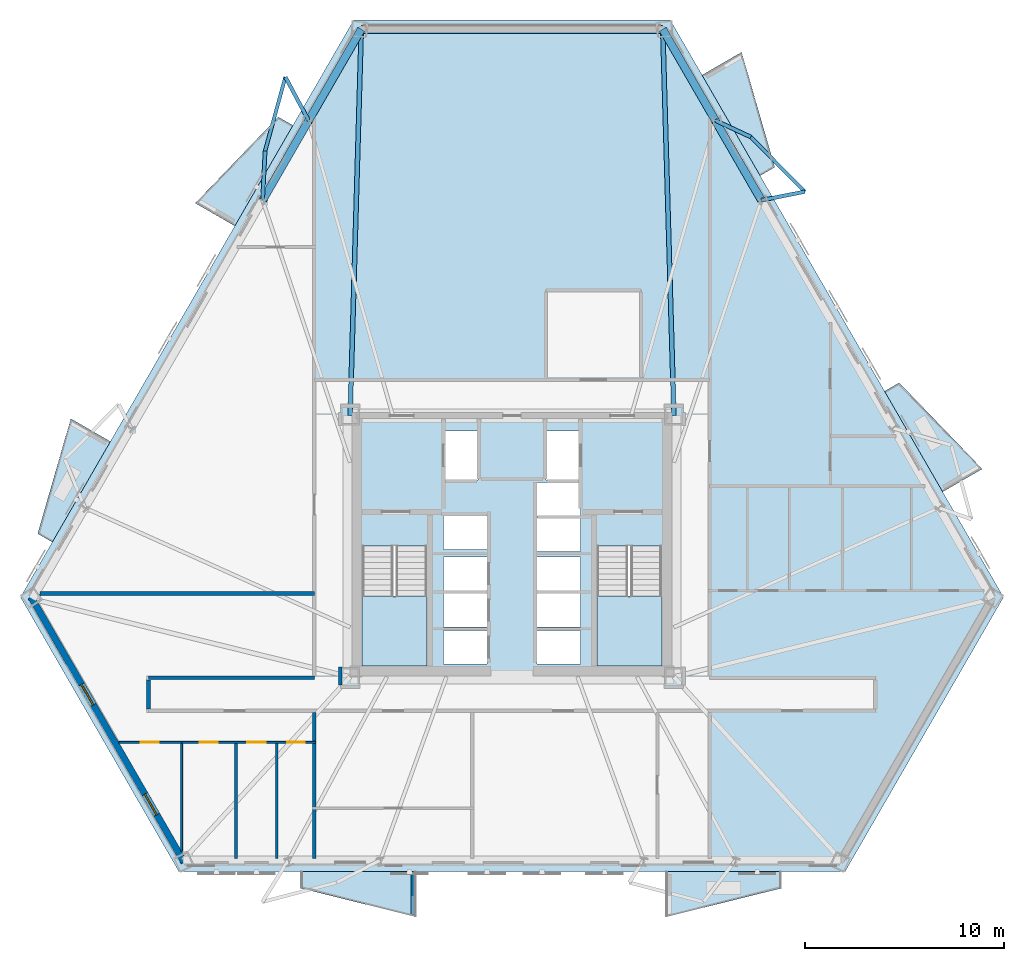
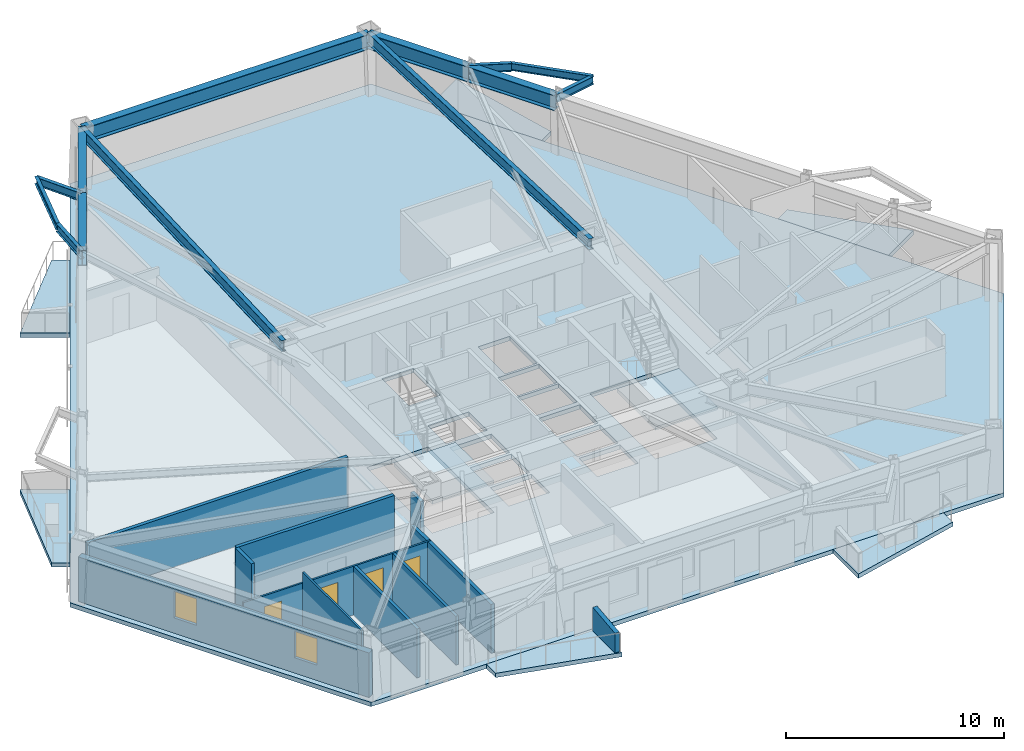
# One storey, part 2 of 13: 13 beams, 11 walls, 9 slabs, 4 doors, 2 windows, 6 openings, 2 elements without a shape of their own.
"""IFC4 building model written with IfcOpenShell, lengths in metres."""

from ifc_helpers import new_model, si_unit, direction, frame, frame_2d, origin, origin_2d, place, context, subcontext, project, spatial, polyline, rectangle, i_section, outline, extrude, material, layer, layer_set, material_profile, profile_set, type_object, element, fill, aggregate, save


model = new_model("IFC4")

# Units and contexts
model_context = context("Model", 3, precision=1e-05, world=origin(), true_north=direction((0.0, 1.0)))
body_context = subcontext(model_context, "Body", "Model", "MODEL_VIEW")
ifc_project = project(units=[si_unit("LENGTHUNIT", "METRE"), si_unit("AREAUNIT", "SQUARE_METRE"), si_unit("VOLUMEUNIT", "CUBIC_METRE"), si_unit("PLANEANGLEUNIT", "RADIAN"), si_unit("MASSUNIT", "GRAM", prefix="KILO")], contexts=[model_context])

# Site, building, storey
site_placement = place(None, origin())
site = spatial("IfcSite", under=ifc_project, at=site_placement, CompositionType="ELEMENT")
building_placement = place(site_placement, origin())
building = spatial("IfcBuilding", under=site, at=building_placement, Name="Oramaril Tower", CompositionType="ELEMENT")
storey_placement = place(building_placement, frame((0.0, 0.0, 38.10009765625)))
storey = spatial("IfcBuildingStorey", under=building, at=storey_placement, Name="L09", CompositionType="ELEMENT", Elevation=38.10009765625)

# Beams
ifc_material_1 = material(Name="Steel ASTM A572 Gr 50", Category="steel")
ifc_material_profile_1 = material_profile(ifc_material_1, i_section(OverallWidth=0.19091796875, OverallDepth=0.45703125, WebThickness=0.009033203125, FlangeThickness=0.014404296875, at=origin_2d()), Name="W18X50")
ifc_profile_set_1 = profile_set([ifc_material_profile_1], Name="Steel ASTM A572 Gr 50")
beam_type_1 = type_object("IfcBeamType", Name="BT-BB1", PredefinedType="BEAM", material=ifc_profile_set_1)
beam_1_placement = place(storey_placement, frame((50.056884765625, 34.998046875, 3.13134765625), z_axis=(0.981203641615, 0.192975163378, 0.0), x_axis=(-0.192975163378, 0.981203641615, 0.0)))
element("IfcBeam", 1, at=beam_1_placement, inside=storey, type_object=beam_type_1, Name="L09 Balcony Column-Framed Cantilever 04.1", PredefinedType="BEAM", context=body_context, shape_type="SweptSolid", body=[
    extrude(i_section(OverallWidth=0.19091796875, OverallDepth=0.45703125, WebThickness=0.009033203125, FlangeThickness=0.014404296875, at=origin_2d()), origin(), (0.0, 0.0, 1.0), 2.22802734375),
])
beam_2_placement = place(storey_placement, frame((47.738525390625, 39.013671875, 3.13134765625), z_axis=(0.906015157564, -0.423245241277, 0.0), x_axis=(0.423245241277, 0.906015157564, 0.0)))
element("IfcBeam", 2, at=beam_2_placement, inside=storey, type_object=beam_type_1, Name="L09 Balcony Column-Framed Cantilever 04.2", PredefinedType="BEAM", context=body_context, shape_type="SweptSolid", body=[
    extrude(i_section(OverallWidth=0.19091796875, OverallDepth=0.45703125, WebThickness=0.009033203125, FlangeThickness=0.014404296875, at=origin_2d()), origin(), (0.0, 0.0, 1.0), 1.96875),
])
beam_3_placement = place(storey_placement, frame((27.261474609375, 39.013671875, 3.13134765625), z_axis=(-0.471241432449, 0.882004258688, 0.0), x_axis=(-0.882004258688, -0.471241432449, 0.0)))
element("IfcBeam", 3, at=beam_3_placement, inside=storey, type_object=beam_type_1, Name="L09 Balcony Column-Framed Cantilever 05.1", PredefinedType="BEAM", context=body_context, shape_type="SweptSolid", body=[
    extrude(i_section(OverallWidth=0.19091796875, OverallDepth=0.45703125, WebThickness=0.009033203125, FlangeThickness=0.014404296875, at=origin_2d()), origin(), (0.0, 0.0, 1.0), 2.482666015625),
])
beam_4_placement = place(storey_placement, frame((24.943115234375, 34.998291015625, 3.13134765625), z_axis=(0.050586807819, 0.998719667812, 0.0), x_axis=(-0.998719667812, 0.050586807819, 0.0)))
element("IfcBeam", 4, at=beam_4_placement, inside=storey, type_object=beam_type_1, Name="L09 Balcony Column-Framed Cantilever 05.2", PredefinedType="BEAM", context=body_context, shape_type="SweptSolid", body=[
    extrude(i_section(OverallWidth=0.19091796875, OverallDepth=0.45703125, WebThickness=0.009033203125, FlangeThickness=0.014404296875, at=origin_2d()), origin(), (0.0, 0.0, 1.0), 2.475830078125),
])
ifc_material_2 = material(Name="Steel ASTM A572 Gr 50", Category="steel")
ifc_material_profile_2 = material_profile(ifc_material_2, i_section(OverallWidth=0.22900390625, OverallDepth=0.612060546875, WebThickness=0.011962890625, FlangeThickness=0.01953125, at=origin_2d()), Name="W24X84")
ifc_profile_set_2 = profile_set([ifc_material_profile_2], Name="Steel ASTM A572 Gr 50")
beam_type_2 = type_object("IfcBeamType", Name="BT-FB1", PredefinedType="BEAM", material=ifc_profile_set_2)
for number, where, z_axis, x_axis, name in (
    (5, (45.64990234375, 24.14990234375, 3.053955078125), (-0.028816562841, 0.999584716623, 0.0), (-0.999584716623, -0.028816562841, 0.0), "L09 Radial Primary Beam RB-05"),
    (6, (29.35009765625, 24.14990234375, 3.053955078125), (0.028816562841, 0.999584716623, 0.0), (-0.999584716623, 0.028816562841, 0.0), "L09 Radial Primary Beam RB-06"),
):
    element("IfcBeam", number, at=place(storey_placement, frame(where, z_axis=z_axis, x_axis=x_axis)), inside=storey, type_object=beam_type_2, Name=name, PredefinedType="BEAM", context=body_context, shape_type="SweptSolid", body=[
        extrude(i_section(OverallWidth=0.22900390625, OverallDepth=0.612060546875, WebThickness=0.011962890625, FlangeThickness=0.01953125, at=origin_2d()), origin(), (0.0, 0.0, 1.0), 19.460693359375),
    ])
ifc_material_3 = material(Name="Steel ASTM A572 Gr 50", Category="steel")
ifc_material_profile_3 = material_profile(ifc_material_3, i_section(OverallWidth=0.177978515625, OverallDepth=0.404052734375, WebThickness=0.007568359375, FlangeThickness=0.010986328125, at=origin_2d()), Name="W16X36")
ifc_profile_set_3 = profile_set([ifc_material_profile_3], Name="Steel ASTM A572 Gr 50")
beam_type_3 = type_object("IfcBeamType", Name="BT-SB1", PredefinedType="BEAM", material=ifc_profile_set_3)
for number, where, z_axis, x_axis, name in (
    (7, (52.242919921875, 35.427978515625, 3.157958984375), (-0.702994511648, 0.71119527318, 0.0), (-0.71119527318, -0.702994511648, 0.0), "L09 Balcony Edge Tie Beam 04"),
    (8, (26.091552734375, 41.203369140625, 3.157958984375), (-0.264382243015, -0.964417974521, 0.0), (0.964417974521, -0.264382243015, 0.0), "L09 Balcony Edge Tie Beam 05"),
):
    element("IfcBeam", number, at=place(storey_placement, frame(where, z_axis=z_axis, x_axis=x_axis)), inside=storey, type_object=beam_type_3, Name=name, PredefinedType="BEAM", context=body_context, shape_type="SweptSolid", body=[
        extrude(i_section(OverallWidth=0.177978515625, OverallDepth=0.404052734375, WebThickness=0.007568359375, FlangeThickness=0.010986328125, at=origin_2d()), origin(), (0.0, 0.0, 1.0), 3.8701171875),
    ])
ifc_material_4 = material(Name="Steel ASTM A572 Gr 50", Category="steel")
ifc_material_profile_4 = material_profile(ifc_material_4, i_section(OverallWidth=0.40087890625, OverallDepth=0.85595703125, WebThickness=0.018310546875, FlangeThickness=0.029296875, at=origin_2d()), Name="W33X201")
ifc_profile_set_4 = profile_set([ifc_material_profile_4], Name="Steel ASTM A572 Gr 50")
beam_type_4 = type_object("IfcBeamType", Name="BT-SP1", PredefinedType="SPANDREL", material=ifc_profile_set_4)
beam_5_placement = place(storey_placement, frame((50.056884765625, 34.998046875, 2.931884765625), z_axis=(-0.499989842173, 0.866031268329, 0.0), x_axis=(-0.866031268329, -0.499989842173, 0.0)))
element("IfcBeam", 9, at=beam_5_placement, inside=storey, type_object=beam_type_4, Name="L09 Perimeter Spandrel 11", PredefinedType="SPANDREL", context=body_context, shape_type="SweptSolid", body=[
    extrude(i_section(OverallWidth=0.40087890625, OverallDepth=0.85595703125, WebThickness=0.018310546875, FlangeThickness=0.029296875, at=origin_2d()), origin(), (0.0, 0.0, 1.0), 4.63671875),
])
beam_6_placement = place(storey_placement, frame((47.738525390625, 39.013671875, 2.931884765625), z_axis=(-0.500004296715, 0.866022923061, 0.0), x_axis=(-0.866022923061, -0.500004296715, 0.0)))
element("IfcBeam", 10, at=beam_6_placement, inside=storey, type_object=beam_type_4, Name="L09 Perimeter Spandrel 12", PredefinedType="SPANDREL", context=body_context, shape_type="SweptSolid", body=[
    extrude(i_section(OverallWidth=0.40087890625, OverallDepth=0.85595703125, WebThickness=0.018310546875, FlangeThickness=0.029296875, at=origin_2d()), origin(), (0.0, 0.0, 1.0), 5.298828125),
])
beam_7_placement = place(storey_placement, frame((45.089111328125, 43.6025390625, 2.931884765625), z_axis=(-1.0, 0.0, 0.0), x_axis=(0.0, -1.0, 0.0)))
element("IfcBeam", 11, at=beam_7_placement, inside=storey, type_object=beam_type_4, Name="L09 Perimeter Spandrel 13", PredefinedType="SPANDREL", context=body_context, shape_type="SweptSolid", body=[
    extrude(i_section(OverallWidth=0.40087890625, OverallDepth=0.85595703125, WebThickness=0.018310546875, FlangeThickness=0.029296875, at=origin_2d()), origin(), (0.0, 0.0, 1.0), 15.17822265625),
])
beam_8_placement = place(storey_placement, frame((29.910888671875, 43.6025390625, 2.931884765625), z_axis=(-0.500004296715, -0.866022923061, 0.0), x_axis=(0.866022923061, -0.500004296715, 0.0)))
element("IfcBeam", 12, at=beam_8_placement, inside=storey, type_object=beam_type_4, Name="L09 Perimeter Spandrel 14", PredefinedType="SPANDREL", context=body_context, shape_type="SweptSolid", body=[
    extrude(i_section(OverallWidth=0.40087890625, OverallDepth=0.85595703125, WebThickness=0.018310546875, FlangeThickness=0.029296875, at=origin_2d()), origin(), (0.0, 0.0, 1.0), 5.298828125),
])
beam_9_placement = place(storey_placement, frame((27.261474609375, 39.013671875, 2.931884765625), z_axis=(-0.500012642009, -0.866018104794, 0.0), x_axis=(0.866018104794, -0.500012642009, 0.0)))
element("IfcBeam", 13, at=beam_9_placement, inside=storey, type_object=beam_type_4, Name="L09 Perimeter Spandrel 15", PredefinedType="SPANDREL", context=body_context, shape_type="SweptSolid", body=[
    extrude(i_section(OverallWidth=0.40087890625, OverallDepth=0.85595703125, WebThickness=0.018310546875, FlangeThickness=0.029296875, at=origin_2d()), origin(), (0.0, 0.0, 1.0), 4.63671875),
])

# Slabs
ifc_material_5 = material(Name="Concrete C40/50", Category="concrete")
ifc_layer_1 = layer(ifc_material_5, 0.199951171875)
ifc_layer_set_1 = layer_set([ifc_layer_1], Name="SLT-BAL20")
slab_type_1 = type_object("IfcSlabType", Name="SLT-BAL20", PredefinedType="FLOOR", material=ifc_layer_set_1)
slab_1_placement = place(storey_placement, frame((0.0, 0.0, -0.239990234375)))
element("IfcSlab", 14, at=slab_1_placement, inside=storey, type_object=slab_type_1, Name="L09 Cantilevered Balcony Slab L09-BAL-S1", PredefinedType="FLOOR", context=body_context, shape_type="SweptSolid", body=[
    extrude(outline(polyline([(26.848388671875, 1.2158203125), (32.698486328125, 1.2158203125), (32.698486328125, -1.086181640625), (26.848388671875, 0.36376953125), (26.848388671875, 1.2158203125)])), origin(), (0.0, 0.0, 1.0), 0.239990234375),
])
slab_2_placement = place(storey_placement, frame((0.0, 0.0, -0.239990234375)))
element("IfcSlab", 15, at=slab_2_placement, inside=storey, type_object=slab_type_1, Name="L09 Cantilevered Balcony Slab L09-BAL-NE2", PredefinedType="FLOOR", context=body_context, shape_type="SweptSolid", body=[
    extrude(outline(polyline([(49.990966796875, 36.2333984375), (47.06591796875, 41.299560546875), (49.0595703125, 42.45068359375), (50.728759765625, 36.659423828125), (49.990966796875, 36.2333984375)])), origin(), (0.0, 0.0, 1.0), 0.239990234375),
])
slab_3_placement = place(storey_placement, frame((0.0, 0.0, -0.239990234375)))
element("IfcSlab", 16, at=slab_3_placement, inside=storey, type_object=slab_type_1, Name="L09 Cantilevered Balcony Slab L09-BAL-NW1", PredefinedType="FLOOR", context=body_context, shape_type="SweptSolid", body=[
    extrude(outline(polyline([(26.471435546875, 38.7666015625), (23.54638671875, 33.7001953125), (21.552978515625, 34.851318359375), (25.733642578125, 39.1923828125), (26.471435546875, 38.7666015625)])), origin(), (0.0, 0.0, 1.0), 0.239990234375),
])
ifc_material_6 = material(Name="Concrete C50/60", Category="concrete")
ifc_layer_2 = layer(ifc_material_6, 0.239990234375)
ifc_layer_set_2 = layer_set([ifc_layer_2], Name="SLT-FLR24")
slab_type_2 = type_object("IfcSlabType", Name="SLT-FLR24", PredefinedType="FLOOR", material=ifc_layer_set_2)
slab_4_placement = place(storey_placement, frame((0.0, 0.0, -0.239990234375)))
element("IfcSlab", 17, at=slab_4_placement, inside=storey, type_object=slab_type_2, Name="L09 Structural Floor Slab", PredefinedType="FLOOR", context=body_context, shape_type="SweptSolid", body=[
    extrude(outline(polyline([(12.755859375, 15.01416015625), (20.723388671875, 1.2138671875), (54.276611328125, 1.2138671875), (62.244140625, 15.01416015625), (45.4677734375, 44.072021484375), (29.5322265625, 44.072021484375), (12.755859375, 15.01416015625)]), holes=[polyline([(29.949951171875, 17.58935546875), (29.949951171875, 11.550048828125), (33.219970703125, 11.550048828125), (33.219970703125, 17.58935546875), (29.949951171875, 17.58935546875)]), polyline([(41.780029296875, 17.58935546875), (41.780029296875, 11.550048828125), (45.050048828125, 11.550048828125), (45.050048828125, 17.58935546875), (41.780029296875, 17.58935546875)]), polyline([(34.110107421875, 20.909912109375), (35.7900390625, 20.909912109375), (35.7900390625, 23.389892578125), (34.110107421875, 23.389892578125), (34.110107421875, 20.909912109375)]), polyline([(39.2099609375, 20.909912109375), (40.889892578125, 20.909912109375), (40.889892578125, 23.389892578125), (39.2099609375, 23.389892578125), (39.2099609375, 20.909912109375)]), polyline([(34.06005859375, 11.659912109375), (36.239990234375, 11.659912109375), (36.239990234375, 13.340087890625), (34.06005859375, 13.340087890625), (34.06005859375, 11.659912109375)]), polyline([(34.06005859375, 13.510009765625), (36.239990234375, 13.510009765625), (36.239990234375, 15.18994140625), (34.06005859375, 15.18994140625), (34.06005859375, 13.510009765625)]), polyline([(34.06005859375, 15.360107421875), (36.239990234375, 15.360107421875), (36.239990234375, 17.0400390625), (34.06005859375, 17.0400390625), (34.06005859375, 15.360107421875)]), polyline([(38.760009765625, 11.659912109375), (40.93994140625, 11.659912109375), (40.93994140625, 13.340087890625), (38.760009765625, 13.340087890625), (38.760009765625, 11.659912109375)]), polyline([(38.760009765625, 13.510009765625), (40.93994140625, 13.510009765625), (40.93994140625, 15.18994140625), (38.760009765625, 15.18994140625), (38.760009765625, 13.510009765625)]), polyline([(38.760009765625, 15.360107421875), (40.93994140625, 15.360107421875), (40.93994140625, 17.0400390625), (38.760009765625, 17.0400390625), (38.760009765625, 15.360107421875)]), polyline([(34.06005859375, 17.409912109375), (36.239990234375, 17.409912109375), (36.239990234375, 19.090087890625), (34.06005859375, 19.090087890625), (34.06005859375, 17.409912109375)]), polyline([(38.760009765625, 17.31005859375), (40.93994140625, 17.31005859375), (40.93994140625, 18.989990234375), (38.760009765625, 18.989990234375), (38.760009765625, 17.31005859375)]), polyline([(38.760009765625, 19.110107421875), (40.93994140625, 19.110107421875), (40.93994140625, 20.7900390625), (38.760009765625, 20.7900390625), (38.760009765625, 19.110107421875)])]), origin(), (0.0, 0.0, 1.0), 0.239990234375),
])

# Stair, slab
ifc_material_7 = material(Name="Concrete C50/60", Category="concrete")
stair_type = type_object("IfcStairType", Name="STT-DG-3600", PredefinedType="HALF_TURN_STAIR", material=ifc_material_7)
stair_1_placement = place(storey_placement, origin())
stair_1 = element("IfcStair", 18, at=stair_1_placement, inside=storey, type_object=stair_type, Name="L09 Protected PFP Exit Stair ST-1", PredefinedType="HALF_TURN_STAIR")
ifc_material_8 = material(Name="Concrete C50/60", Category="concrete")
ifc_layer_3 = layer(ifc_material_8, 0.199951171875)
ifc_layer_set_3 = layer_set([ifc_layer_3], Name="SLT-LND20")
slab_type_3 = type_object("IfcSlabType", Name="SLT-LND20", PredefinedType="LANDING", material=ifc_layer_set_3)
slab_5_placement = place(storey_placement, frame((0.0, 0.0, 1.599853515625)))
slab_5 = element("IfcSlab", 19, at=slab_5_placement, type_object=slab_type_3, Name="ST-1 landing 1", PredefinedType="LANDING", context=body_context, shape_type="SweptSolid", body=[
    extrude(outline(polyline([(29.949951171875, 15.070068359375), (29.949951171875, 11.550048828125), (33.219970703125, 11.550048828125), (33.219970703125, 15.070068359375), (29.949951171875, 15.070068359375)])), origin(), (0.0, 0.0, 1.0), 0.199951171875),
])
aggregate(stair_1, [slab_5])

stair_2_placement = place(storey_placement, origin())
stair_2 = element("IfcStair", 20, at=stair_2_placement, inside=storey, type_object=stair_type, Name="L09 Protected PFP Exit Stair ST-2", PredefinedType="HALF_TURN_STAIR")
slab_6_placement = place(storey_placement, frame((0.0, 0.0, 1.599853515625)))
slab_6 = element("IfcSlab", 21, at=slab_6_placement, type_object=slab_type_3, Name="ST-2 landing 1", PredefinedType="LANDING", context=body_context, shape_type="SweptSolid", body=[
    extrude(outline(polyline([(41.780029296875, 15.070068359375), (41.780029296875, 11.550048828125), (45.050048828125, 11.550048828125), (45.050048828125, 15.070068359375), (41.780029296875, 15.070068359375)])), origin(), (0.0, 0.0, 1.0), 0.199951171875),
])
aggregate(stair_2, [slab_6])

# Slabs
ifc_material_9 = material(Name="Concrete C40/50", Category="concrete")
ifc_layer_4 = layer(ifc_material_9, 0.18994140625)
ifc_layer_set_4 = layer_set([ifc_layer_4], Name="SLT-PLN19")
slab_type_4 = type_object("IfcSlabType", Name="SLT-PLN19", PredefinedType="FLOOR", material=ifc_layer_set_4)
slab_7_placement = place(storey_placement, frame((0.0, 0.0, -0.239990234375)))
element("IfcSlab", 22, at=slab_7_placement, inside=storey, type_object=slab_type_4, Name="L09 Tree Planter Balcony Slab L09-BAL-S2", PredefinedType="FLOOR", context=body_context, shape_type="SweptSolid", body=[
    extrude(outline(polyline([(45.2265625, 1.2158203125), (51.076416015625, 1.2158203125), (51.076416015625, 0.36376953125), (45.2265625, -1.086181640625), (45.2265625, 1.2158203125)])), origin(), (0.0, 0.0, 1.0), 0.239990234375),
])
slab_8_placement = place(storey_placement, frame((0.0, 0.0, -0.239990234375)))
element("IfcSlab", 23, at=slab_8_placement, inside=storey, type_object=slab_type_4, Name="L09 Tree Planter Balcony Slab L09-BAL-NE1", PredefinedType="FLOOR", context=body_context, shape_type="SweptSolid", body=[
    extrude(outline(polyline([(59.179931640625, 20.317626953125), (56.2548828125, 25.3837890625), (56.99267578125, 25.809814453125), (61.173583984375, 21.468505859375), (59.179931640625, 20.317626953125)])), origin(), (0.0, 0.0, 1.0), 0.239990234375),
])
slab_9_placement = place(storey_placement, frame((0.0, 0.0, -0.239990234375)))
element("IfcSlab", 24, at=slab_9_placement, inside=storey, type_object=slab_type_4, Name="L09 Tree Planter Balcony Slab L09-BAL-NW2", PredefinedType="FLOOR", context=body_context, shape_type="SweptSolid", body=[
    extrude(outline(polyline([(17.28271484375, 22.8505859375), (14.357666015625, 17.784423828125), (13.619873046875, 18.21044921875), (15.2890625, 24.001708984375), (17.28271484375, 22.8505859375)])), origin(), (0.0, 0.0, 1.0), 0.239990234375),
])

# Wall, openings, windows
ifc_material_10 = material(Name="Warm Cream Limestone", Category="masonry")
ifc_layer_5 = layer(ifc_material_10, 0.340087890625)
ifc_layer_set_5 = layer_set([ifc_layer_5], Name="WT-EXT34")
wall_type_1 = type_object("IfcWallType", Name="WT-EXT34", PredefinedType="SOLIDWALL", material=ifc_layer_set_5)
wall_1_placement = place(storey_placement, frame((13.287109375, 15.01416015625, 0.0), z_axis=(0.0, 0.0, 1.0), x_axis=(0.499993183949, -0.866029338997, 0.0)))
wall_1 = element("IfcWall", 25, at=wall_1_placement, inside=storey, type_object=wall_type_1, Name="L09 Tower Limestone Facade Wall 1M", PredefinedType="SOLIDWALL", context=body_context, shape_type="SweptSolid", body=[
    extrude(rectangle(XDim=15.404052734375, YDim=0.340087890625, at=frame_2d((7.7021484375, 0.0))), origin(), (0.0, 0.0, 1.0), 2.493896484375),
])
opening_1_placement = place(wall_1_placement, frame((5.06689453125, 0.0, 0.85009765625)))
opening_1 = element("IfcOpeningElement", 26, at=opening_1_placement, cuts=wall_1, Name="Opening WN-09", PredefinedType="OPENING", context=body_context, shape_type="SweptSolid", body=[
    extrude(rectangle(XDim=1.199951171875, YDim=1.47998046875, at=frame_2d((0.60009765625, 0.739990234375))), frame((0.0, 0.169921875, 0.0), z_axis=(0.0, -1.0, 0.0), x_axis=(1.0, 0.0, 0.0)), (0.0, 0.0, 1.0), 0.340087890625),
])
opening_2_placement = place(wall_1_placement, frame((11.450927734375, 0.0, 0.85009765625)))
opening_2 = element("IfcOpeningElement", 27, at=opening_2_placement, cuts=wall_1, Name="Opening WN-09", PredefinedType="OPENING", context=body_context, shape_type="SweptSolid", body=[
    extrude(rectangle(XDim=1.199951171875, YDim=1.47998046875, at=frame_2d((0.60009765625, 0.739990234375))), frame((0.0, 0.169921875, 0.0), z_axis=(0.0, -1.0, 0.0), x_axis=(1.0, 0.0, 0.0)), (0.0, 0.0, 1.0), 0.340087890625),
])
ifc_material_11 = material(Name="Coastal Low-E Insulated Glass", Category="glass")
window_type = type_object("IfcWindowType", Name="WNT-09", PartitioningType="SINGLE_PANEL", PredefinedType="WINDOW", material=ifc_material_11)
window_1_placement = place(opening_1_placement, origin())
window_1 = element("IfcWindow", 28, at=window_1_placement, inside=storey, type_object=window_type, Name="L09 Apartment Bedroom Window WN-09", OverallHeight=1.47998046875, OverallWidth=1.199951171875, PartitioningType="SINGLE_PANEL", PredefinedType="WINDOW", context=body_context, shape_type="SweptSolid", body=[
    extrude(rectangle(XDim=1.199951171875, YDim=1.47998046875, at=frame_2d((0.60009765625, 0.739990234375))), frame((0.0, 0.030029296875, 0.0), z_axis=(0.0, -1.0, 0.0), x_axis=(1.0, 0.0, 0.0)), (0.0, 0.0, 1.0), 0.06005859375),
])
fill(opening_1, window_1)
window_2_placement = place(opening_2_placement, origin())
window_2 = element("IfcWindow", 29, at=window_2_placement, inside=storey, type_object=window_type, Name="L09 Apartment Bedroom Window WN-09", OverallHeight=1.47998046875, OverallWidth=1.199951171875, PartitioningType="SINGLE_PANEL", PredefinedType="WINDOW", context=body_context, shape_type="SweptSolid", body=[
    extrude(rectangle(XDim=1.199951171875, YDim=1.47998046875, at=frame_2d((0.60009765625, 0.739990234375))), frame((0.0, 0.030029296875, 0.0), z_axis=(0.0, -1.0, 0.0), x_axis=(1.0, 0.0, 0.0)), (0.0, 0.0, 1.0), 0.06005859375),
])
fill(opening_2, window_2)

# Wall
ifc_material_12 = material(Name="Concrete C40/50", Category="concrete")
ifc_layer_6 = layer(ifc_material_12, 0.22998046875)
ifc_layer_set_6 = layer_set([ifc_layer_6], Name="WT-PRP23")
wall_type_2 = type_object("IfcWallType", Name="WT-PRP23", PredefinedType="PARAPET", material=ifc_layer_set_6)
wall_2_placement = place(storey_placement, frame((32.5185546875, 1.07568359375, 0.0), z_axis=(0.0, 0.0, 1.0), x_axis=(0.0, -1.0, 0.0)))
element("IfcWall", 30, at=wall_2_placement, inside=storey, type_object=wall_type_2, Name="L09 Trapezoidal Balcony Frame Cheek L09-BAL-S1-R", PredefinedType="PARAPET", context=body_context, shape_type="SweptSolid", body=[
    extrude(outline(polyline([(0.0, 0.0), (2.0419921875, 0.0), (2.0419921875, 1.099853515625), (0.0, 1.31982421875), (0.0, 0.0)])), frame((0.0, 0.114990234375, 0.0), z_axis=(0.0, -1.0, 0.0), x_axis=(1.0, 0.0, 0.0)), (0.0, 0.0, 1.0), 0.22998046875),
])

# Wall, openings, doors
ifc_material_13 = material(Name="Acoustic Gypsum Board Partition")
ifc_layer_7 = layer(ifc_material_13, 0.10009765625)
ifc_layer_set_7 = layer_set([ifc_layer_7], Name="WT-PT10")
wall_type_3 = type_object("IfcWallType", Name="WT-PT10", PredefinedType="PARTITIONING", material=ifc_layer_set_7)
wall_3_placement = place(storey_placement, frame((17.705078125, 7.7099609375, 0.0), z_axis=(0.0, 0.0, 1.0), x_axis=(1.0, 0.0, 0.0)))
wall_3 = element("IfcWall", 31, at=wall_3_placement, inside=storey, type_object=wall_type_3, Name="L09 Interior Partition PT-10", PredefinedType="PARTITIONING", context=body_context, shape_type="SweptSolid", body=[
    extrude(rectangle(XDim=9.89501953125, YDim=0.10009765625, at=frame_2d((4.947509765625, 0.0))), origin(), (0.0, 0.0, 1.0), 2.73779296875),
])
opening_3_placement = place(wall_3_placement, frame((1.092529296875, 0.0, 0.0)))
opening_3 = element("IfcOpeningElement", 32, at=opening_3_placement, cuts=wall_3, Name="Opening D-L09-02", PredefinedType="OPENING", context=body_context, shape_type="SweptSolid", body=[
    extrude(rectangle(XDim=0.919921875, YDim=2.1201171875, at=frame_2d((0.4599609375, 1.06005859375))), frame((0.0, 0.050048828125, 0.0), z_axis=(0.0, -1.0, 0.0), x_axis=(1.0, 0.0, 0.0)), (0.0, 0.0, 1.0), 0.10009765625),
])
opening_4_placement = place(wall_3_placement, frame((4.073486328125, 0.0, 0.0)))
opening_4 = element("IfcOpeningElement", 33, at=opening_4_placement, cuts=wall_3, Name="Opening D-L09-03", PredefinedType="OPENING", context=body_context, shape_type="SweptSolid", body=[
    extrude(rectangle(XDim=0.919921875, YDim=2.1201171875, at=frame_2d((0.4599609375, 1.06005859375))), frame((0.0, 0.050048828125, 0.0), z_axis=(0.0, -1.0, 0.0), x_axis=(1.0, 0.0, 0.0)), (0.0, 0.0, 1.0), 0.10009765625),
])
opening_5_placement = place(wall_3_placement, frame((6.454833984375, 0.0, 0.0)))
opening_5 = element("IfcOpeningElement", 34, at=opening_5_placement, cuts=wall_3, Name="Opening D-L09-04", PredefinedType="OPENING", context=body_context, shape_type="SweptSolid", body=[
    extrude(rectangle(XDim=0.949951171875, YDim=2.10009765625, at=frame_2d((0.47509765625, 1.050048828125))), frame((0.0, 0.050048828125, 0.0), z_axis=(0.0, -1.0, 0.0), x_axis=(1.0, 0.0, 0.0)), (0.0, 0.0, 1.0), 0.10009765625),
])
opening_6_placement = place(wall_3_placement, frame((8.474853515625, 0.0, 0.0)))
opening_6 = element("IfcOpeningElement", 35, at=opening_6_placement, cuts=wall_3, Name="Opening D-L09-05", PredefinedType="OPENING", context=body_context, shape_type="SweptSolid", body=[
    extrude(rectangle(XDim=0.8798828125, YDim=2.080078125, at=frame_2d((0.43994140625, 1.0400390625))), frame((0.0, 0.050048828125, 0.0), z_axis=(0.0, -1.0, 0.0), x_axis=(1.0, 0.0, 0.0)), (0.0, 0.0, 1.0), 0.10009765625),
])
ifc_material_14 = material(Name="FSC Brazilian Freijo Hardwood", Category="wood")
door_type_1 = type_object("IfcDoorType", Name="DT-BATH", OperationType="NOTDEFINED", PredefinedType="DOOR", material=ifc_material_14)
door_1_placement = place(opening_6_placement, origin())
door_1 = element("IfcDoor", 36, at=door_1_placement, inside=storey, type_object=door_type_1, Name="L09 Flat L09-U3 Bathroom Door D-L09-05", OperationType="SINGLE_SWING_LEFT", OverallHeight=2.080078125, OverallWidth=0.8798828125, PredefinedType="DOOR", context=body_context, shape_type="SweptSolid", body=[
    extrude(rectangle(XDim=0.8798828125, YDim=2.080078125, at=frame_2d((0.43994140625, 1.0400390625))), frame((0.0, 0.02490234375, 0.0), z_axis=(0.0, -1.0, 0.0), x_axis=(1.0, 0.0, 0.0)), (0.0, 0.0, 1.0), 0.050048828125),
])
fill(opening_6, door_1)
ifc_material_15 = material(Name="FSC Brazilian Freijo Hardwood", Category="wood")
door_type_2 = type_object("IfcDoorType", Name="DT-BED", OperationType="NOTDEFINED", PredefinedType="DOOR", material=ifc_material_15)
door_2_placement = place(opening_3_placement, origin())
door_2 = element("IfcDoor", 37, at=door_2_placement, inside=storey, type_object=door_type_2, Name="L09 Flat L09-U3 Master Bedroom Door D-L09-02", OperationType="SINGLE_SWING_RIGHT", OverallHeight=2.1201171875, OverallWidth=0.919921875, PredefinedType="DOOR", context=body_context, shape_type="SweptSolid", body=[
    extrude(rectangle(XDim=0.919921875, YDim=2.1201171875, at=frame_2d((0.4599609375, 1.06005859375))), frame((0.0, 0.02490234375, 0.0), z_axis=(0.0, -1.0, 0.0), x_axis=(1.0, 0.0, 0.0)), (0.0, 0.0, 1.0), 0.050048828125),
])
fill(opening_3, door_2)
door_3_placement = place(opening_4_placement, origin())
door_3 = element("IfcDoor", 38, at=door_3_placement, inside=storey, type_object=door_type_2, Name="L09 Flat L09-U3 Bedroom 2 Door D-L09-03", OperationType="SINGLE_SWING_LEFT", OverallHeight=2.1201171875, OverallWidth=0.919921875, PredefinedType="DOOR", context=body_context, shape_type="SweptSolid", body=[
    extrude(rectangle(XDim=0.919921875, YDim=2.1201171875, at=frame_2d((0.4599609375, 1.06005859375))), frame((0.0, 0.02490234375, 0.0), z_axis=(0.0, -1.0, 0.0), x_axis=(1.0, 0.0, 0.0)), (0.0, 0.0, 1.0), 0.050048828125),
])
fill(opening_4, door_3)
ifc_material_16 = material(Name="FSC Brazilian Freijo Hardwood", Category="wood")
door_type_3 = type_object("IfcDoorType", Name="DT-STDY", OperationType="NOTDEFINED", PredefinedType="DOOR", material=ifc_material_16)
door_4_placement = place(opening_5_placement, origin())
door_4 = element("IfcDoor", 39, at=door_4_placement, inside=storey, type_object=door_type_3, Name="L09 Flat L09-U3 Kitchen Door D-L09-04", OperationType="SINGLE_SWING_RIGHT", OverallHeight=2.10009765625, OverallWidth=0.949951171875, PredefinedType="DOOR", context=body_context, shape_type="SweptSolid", body=[
    extrude(rectangle(XDim=0.949951171875, YDim=2.10009765625, at=frame_2d((0.47509765625, 1.050048828125))), frame((0.0, 0.02490234375, 0.0), z_axis=(0.0, -1.0, 0.0), x_axis=(1.0, 0.0, 0.0)), (0.0, 0.0, 1.0), 0.050048828125),
])
fill(opening_5, door_4)

# Walls
wall_4_placement = place(storey_placement, frame((20.8701171875, 2.22802734375, 0.0), z_axis=(0.0, 0.0, 1.0), x_axis=(0.0, 1.0, 0.0)))
element("IfcWall", 40, at=wall_4_placement, inside=storey, type_object=wall_type_3, Name="L09 Interior Partition PT-10", PredefinedType="PARTITIONING", context=body_context, shape_type="SweptSolid", body=[
    extrude(rectangle(XDim=5.427978515625, YDim=0.10009765625, at=frame_2d((2.7138671875, 0.0))), origin(), (0.0, 0.0, 1.0), 3.35986328125),
])
ifc_material_17 = material(Name="Acoustic Gypsum Board Partition")
ifc_layer_8 = layer(ifc_material_17, 0.139892578125)
ifc_layer_set_8 = layer_set([ifc_layer_8], Name="WT-PT14")
wall_type_4 = type_object("IfcWallType", Name="WT-PT14", PredefinedType="PARTITIONING", material=ifc_layer_set_8)
wall_5_placement = place(storey_placement, frame((25.659912109375, 1.847900390625, 0.0), z_axis=(0.0, 0.0, 1.0), x_axis=(0.0, 1.0, 0.0)))
element("IfcWall", 41, at=wall_5_placement, inside=storey, type_object=wall_type_4, Name="L09 Interior Partition PT-14", PredefinedType="PARTITIONING", context=body_context, shape_type="SweptSolid", body=[
    extrude(rectangle(XDim=5.80810546875, YDim=0.139892578125, at=frame_2d((2.904052734375, 0.0))), origin(), (0.0, 0.0, 1.0), 2.73779296875),
])
ifc_material_18 = material(Name="Acoustic Gypsum Board Partition")
ifc_layer_9 = layer(ifc_material_18, 0.159912109375)
ifc_layer_set_9 = layer_set([ifc_layer_9], Name="WT-PT16")
wall_type_5 = type_object("IfcWallType", Name="WT-PT16", PredefinedType="PARTITIONING", material=ifc_layer_set_9)
wall_6_placement = place(storey_placement, frame((23.610107421875, 1.847900390625, 0.0), z_axis=(0.0, 0.0, 1.0), x_axis=(0.0, 1.0, 0.0)))
element("IfcWall", 42, at=wall_6_placement, inside=storey, type_object=wall_type_5, Name="L09 Interior Partition PT-16", PredefinedType="PARTITIONING", context=body_context, shape_type="SweptSolid", body=[
    extrude(rectangle(XDim=5.80810546875, YDim=0.159912109375, at=frame_2d((2.904052734375, 0.0))), origin(), (0.0, 0.0, 1.0), 2.73779296875),
])
ifc_material_19 = material(Name="Autoclaved Cellular Concrete Block", Category="concrete")
ifc_layer_10 = layer(ifc_material_19, 0.179931640625)
ifc_layer_set_10 = layer_set([ifc_layer_10], Name="WT-PT18")
wall_type_6 = type_object("IfcWallType", Name="WT-PT18", PredefinedType="PARTITIONING", material=ifc_layer_set_10)
wall_7_placement = place(storey_placement, frame((19.199951171875, 10.949951171875, 0.0), z_axis=(0.0, 0.0, 1.0), x_axis=(1.0, 0.0, 0.0)))
element("IfcWall", 43, at=wall_7_placement, inside=storey, type_object=wall_type_6, Name="L09 Interior Partition PT-18", PredefinedType="PARTITIONING", context=body_context, shape_type="SweptSolid", body=[
    extrude(rectangle(XDim=8.35009765625, YDim=0.179931640625, at=frame_2d((4.175048828125, 0.0))), origin(), (0.0, 0.0, 1.0), 3.35986328125),
])
wall_8_placement = place(storey_placement, frame((13.734375, 15.199951171875, 0.0), z_axis=(0.0, 0.0, 1.0), x_axis=(1.0, 0.0, 0.0)))
element("IfcWall", 44, at=wall_8_placement, inside=storey, type_object=wall_type_6, Name="L09 Interior Partition PT-18", PredefinedType="PARTITIONING", context=body_context, shape_type="SweptSolid", body=[
    extrude(rectangle(XDim=13.815673828125, YDim=0.179931640625, at=frame_2d((6.90771484375, 0.0))), origin(), (0.0, 0.0, 1.0), 2.94580078125),
])
wall_9_placement = place(storey_placement, frame((19.199951171875, 9.39404296875, 0.0), z_axis=(0.0, 0.0, 1.0), x_axis=(0.0, 1.0, 0.0)))
element("IfcWall", 45, at=wall_9_placement, inside=storey, type_object=wall_type_6, Name="L09 Interior Partition PT-18", PredefinedType="PARTITIONING", context=body_context, shape_type="SweptSolid", body=[
    extrude(rectangle(XDim=1.4619140625, YDim=0.179931640625, at=frame_2d((0.73095703125, 0.0))), origin(), (0.0, 0.0, 1.0), 3.35986328125),
])
wall_10_placement = place(storey_placement, frame((27.550048828125, 1.847900390625, 0.0), z_axis=(0.0, 0.0, 1.0), x_axis=(0.0, 1.0, 0.0)))
element("IfcWall", 46, at=wall_10_placement, inside=storey, type_object=wall_type_6, Name="L09 Interior Partition PT-18", PredefinedType="PARTITIONING", context=body_context, shape_type="SweptSolid", body=[
    extrude(rectangle(XDim=7.358154296875, YDim=0.179931640625, at=frame_2d((3.67919921875, 0.0))), origin(), (0.0, 0.0, 1.0), 2.73779296875),
])
wall_11_placement = place(storey_placement, frame((28.860107421875, 10.60400390625, 0.0), z_axis=(0.0, 0.0, 1.0), x_axis=(0.0, 1.0, 0.0)))
element("IfcWall", 47, at=wall_11_placement, inside=storey, type_object=wall_type_6, Name="L09 Interior Partition PT-18", PredefinedType="PARTITIONING", context=body_context, shape_type="SweptSolid", body=[
    extrude(rectangle(XDim=0.89111328125, YDim=0.179931640625, at=frame_2d((0.445556640625, 0.0))), origin(), (0.0, 0.0, 1.0), 2.73779296875),
])

save(model, "model.ifc")
